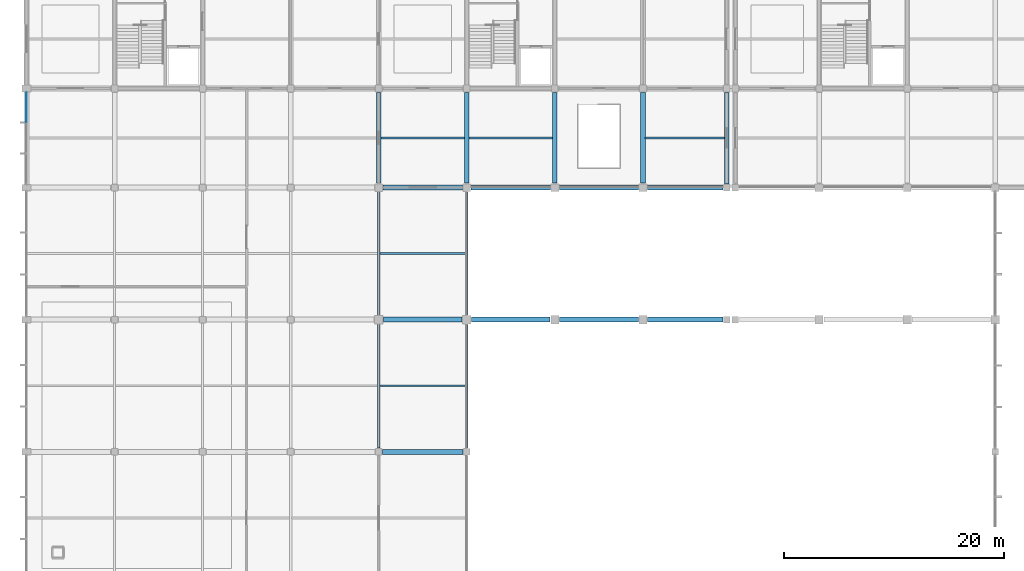
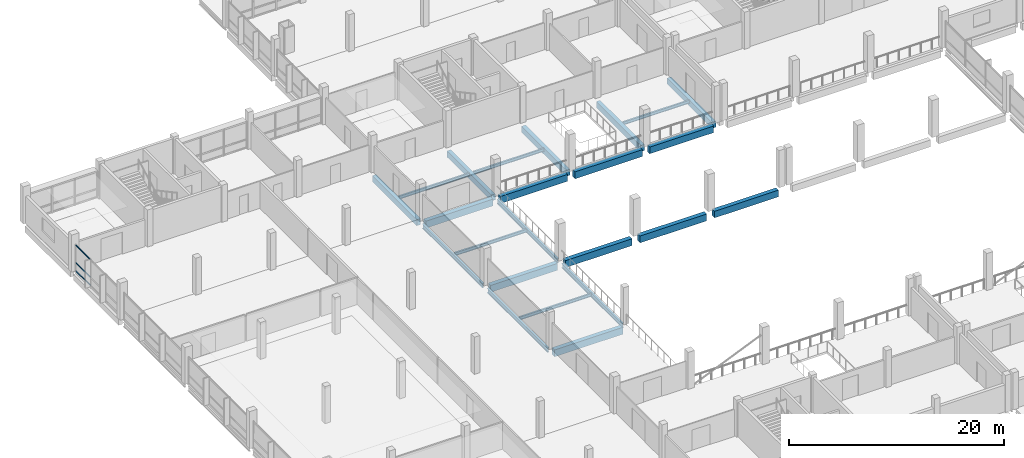
# One storey, part 13 of 57: 23 beams, 3 members, 1 element without a shape of its own.
"""IFC4 building model written with IfcOpenShell, lengths in metres."""

from ifc_helpers import new_model, si_unit, direction, frame, origin, origin_2d, place, context, subcontext, project, spatial, rectangle, i_section, extrude, material, material_profile, profile_set, type_object, element, aggregate, save


model = new_model("IFC4")

# Units and contexts
model_context = context("Model", 3, precision=1e-05, world=origin(), true_north=direction((0.0, 1.0)))
body_context = subcontext(model_context, "Body", "Model", "MODEL_VIEW")
ifc_project = project(units=[si_unit("LENGTHUNIT", "METRE"), si_unit("AREAUNIT", "SQUARE_METRE"), si_unit("VOLUMEUNIT", "CUBIC_METRE"), si_unit("PLANEANGLEUNIT", "RADIAN"), si_unit("MASSUNIT", "GRAM", prefix="KILO"), si_unit("THERMODYNAMICTEMPERATUREUNIT", "KELVIN"), si_unit("POWERUNIT", "WATT")], contexts=[model_context])

# Site, building, storey
site_placement = place(None, origin())
site = spatial("IfcSite", under=ifc_project, at=site_placement, CompositionType="ELEMENT")
building_placement = place(site_placement, origin())
building = spatial("IfcBuilding", under=site, at=building_placement, Name="Kronsvod Quay Wholesale Market", CompositionType="ELEMENT")
storey_placement = place(building_placement, frame((0.0, 0.0, 4.800048828125)))
storey = spatial("IfcBuildingStorey", under=building, at=storey_placement, Name="L01", CompositionType="ELEMENT", Elevation=4.800048828125)

# Beams
ifc_material_1 = material(Name="Precast concrete C40/50", Category="concrete")
ifc_material_profile_1 = material_profile(ifc_material_1, rectangle(XDim=0.419921875, YDim=0.679931640625, at=origin_2d()), Name="PB-05")
ifc_profile_set_1 = profile_set([ifc_material_profile_1], Name="Precast concrete C40/50")
beam_type_1 = type_object("IfcBeamType", Name="Beam_PCB420x680", PredefinedType="BEAM", material=ifc_profile_set_1)
for number, where, z_axis, x_axis, name in (
    (1, (32.0, 90.39990234375, -0.64013671875), (0.0, 1.0, 0.0), (-1.0, 0.0, 0.0), "BMY-L01-320-900"),
    (2, (40.0, 90.39990234375, -0.64013671875), (0.0, 1.0, 0.0), (-1.0, 0.0, 0.0), "BMY-L01-400-900"),
    (3, (48.0, 90.39990234375, -0.64013671875), (0.0, 1.0, 0.0), (-1.0, 0.0, 0.0), "BMY-L01-480-900"),
    (4, (56.0, 90.39990234375, -0.64013671875), (0.0, 1.0, 0.0), (-1.0, 0.0, 0.0), "BMY-L01-560-900"),
):
    element("IfcBeam", number, at=place(storey_placement, frame(where, z_axis=z_axis, x_axis=x_axis)), inside=storey, type_object=beam_type_1, Name=name, PredefinedType="BEAM", context=body_context, shape_type="SweptSolid", body=[
        extrude(rectangle(XDim=0.419921875, YDim=0.679931640625, at=origin_2d()), origin(), (0.0, 0.0, 1.0), 8.25),
    ])
beam_1_placement = place(storey_placement, frame((63.60009765625, 90.35009765625, -0.64013671875), z_axis=(0.0, 1.0, 0.0), x_axis=(-1.0, 0.0, 0.0)))
element("IfcBeam", 5, at=beam_1_placement, inside=storey, type_object=beam_type_1, Name="BMY-L01-636-900", PredefinedType="BEAM", context=body_context, shape_type="SweptSolid", body=[
    extrude(rectangle(XDim=0.419921875, YDim=0.679931640625, at=origin_2d()), origin(), (0.0, 0.0, 1.0), 8.2998046875),
])
ifc_material_2 = material(Name="Precast concrete C40/50", Category="concrete")
ifc_material_profile_2 = material_profile(ifc_material_2, rectangle(XDim=0.449951171875, YDim=0.75, at=origin_2d()), Name="PCB450x750")
ifc_profile_set_2 = profile_set([ifc_material_profile_2], Name="Precast concrete C40/50")
beam_type_2 = type_object("IfcBeamType", Name="Beam_PCB450x750", PredefinedType="BEAM", material=ifc_profile_set_2)
beam_2_placement = place(storey_placement, frame((56.425048828125, 78.0, -0.675048828125), z_axis=(1.0, 0.0, 0.0), x_axis=(0.0, 1.0, 0.0)))
element("IfcBeam", 6, at=beam_2_placement, inside=storey, type_object=beam_type_2, Name="BMX-L01-560-780", PredefinedType="BEAM", context=body_context, shape_type="SweptSolid", body=[
    extrude(rectangle(XDim=0.449951171875, YDim=0.75, at=origin_2d()), origin(), (0.0, 0.0, 1.0), 6.824951171875),
])
beam_3_placement = place(storey_placement, frame((56.39990234375, 90.0, -0.675048828125), z_axis=(1.0, 0.0, 0.0), x_axis=(0.0, 1.0, 0.0)))
element("IfcBeam", 7, at=beam_3_placement, inside=storey, type_object=beam_type_2, Name="BMX-L01-560-900", PredefinedType="BEAM", context=body_context, shape_type="SweptSolid", body=[
    extrude(rectangle(XDim=0.449951171875, YDim=0.75, at=origin_2d()), origin(), (0.0, 0.0, 1.0), 6.85009765625),
])
ifc_material_3 = material(Name="Precast concrete C40/50", Category="concrete")
ifc_material_profile_3 = material_profile(ifc_material_3, rectangle(XDim=0.4599609375, YDim=0.780029296875, at=origin_2d()), Name="PB-03")
ifc_profile_set_3 = profile_set([ifc_material_profile_3], Name="Precast concrete C40/50")
beam_type_3 = type_object("IfcBeamType", Name="Beam_PCB460x780", PredefinedType="BEAM", material=ifc_profile_set_3)
beam_4_placement = place(storey_placement, frame((32.35009765625, 66.0, -0.68994140625), z_axis=(1.0, 0.0, 0.0), x_axis=(0.0, 1.0, 0.0)))
element("IfcBeam", 8, at=beam_4_placement, inside=storey, type_object=beam_type_3, Name="BMX-L01-320-660", PredefinedType="BEAM", context=body_context, shape_type="SweptSolid", body=[
    extrude(rectangle(XDim=0.4599609375, YDim=0.780029296875, at=origin_2d()), origin(), (0.0, 0.0, 1.0), 7.2998046875),
])
for number, where, z_axis, x_axis, name in (
    (9, (32.425048828125, 78.0, -0.68994140625), (1.0, 0.0, 0.0), (0.0, 1.0, 0.0), "BMX-L01-320-780"),
    (10, (40.425048828125, 78.0, -0.68994140625), (1.0, 0.0, 0.0), (0.0, 1.0, 0.0), "BMX-L01-400-780"),
    (11, (48.425048828125, 78.0, -0.68994140625), (1.0, 0.0, 0.0), (0.0, 1.0, 0.0), "BMX-L01-480-780"),
):
    element("IfcBeam", number, at=place(storey_placement, frame(where, z_axis=z_axis, x_axis=x_axis)), inside=storey, type_object=beam_type_3, Name=name, PredefinedType="BEAM", context=body_context, shape_type="SweptSolid", body=[
        extrude(rectangle(XDim=0.4599609375, YDim=0.780029296875, at=origin_2d()), origin(), (0.0, 0.0, 1.0), 7.14990234375),
    ])
for number, where, z_axis, x_axis, name in (
    (12, (32.39990234375, 90.0, -0.68994140625), (1.0, 0.0, 0.0), (0.0, 1.0, 0.0), "BMX-L01-320-900"),
    (13, (40.39990234375, 90.0, -0.68994140625), (1.0, 0.0, 0.0), (0.0, 1.0, 0.0), "BMX-L01-400-900"),
    (14, (48.39990234375, 90.0, -0.68994140625), (1.0, 0.0, 0.0), (0.0, 1.0, 0.0), "BMX-L01-480-900"),
):
    element("IfcBeam", number, at=place(storey_placement, frame(where, z_axis=z_axis, x_axis=x_axis)), inside=storey, type_object=beam_type_3, Name=name, PredefinedType="BEAM", context=body_context, shape_type="SweptSolid", body=[
        extrude(rectangle(XDim=0.4599609375, YDim=0.780029296875, at=origin_2d()), origin(), (0.0, 0.0, 1.0), 7.2001953125),
    ])
ifc_material_4 = material(Name="Steel S355", Category="steel")
ifc_material_profile_4 = material_profile(ifc_material_4, i_section(OverallWidth=0.198974609375, OverallDepth=0.49609375, WebThickness=0.009033203125, FlangeThickness=0.013916015625, FilletRadius=0.02001953125, at=origin_2d()), Name="50B1")
ifc_profile_set_4 = profile_set([ifc_material_profile_4], Name="Steel S355")
beam_type_4 = type_object("IfcBeamType", Name="Girder_Steel50B1", PredefinedType="T_BEAM", material=ifc_profile_set_4)
beam_5_placement = place(storey_placement, frame((32.0, 66.35009765625, -0.548095703125), z_axis=(0.0, 1.0, 0.0), x_axis=(-1.0, 0.0, 0.0)))
element("IfcBeam", 15, at=beam_5_placement, inside=storey, type_object=beam_type_4, Name="BMY-L01-320-660", PredefinedType="T_BEAM", context=body_context, shape_type="SweptSolid", body=[
    extrude(i_section(OverallWidth=0.198974609375, OverallDepth=0.49609375, WebThickness=0.009033203125, FlangeThickness=0.013916015625, FilletRadius=0.02001953125, at=origin_2d()), origin(), (0.0, 0.0, 1.0), 11.224853515625),
])
beam_6_placement = place(storey_placement, frame((32.0, 78.425048828125, -0.548095703125), z_axis=(0.0, 1.0, 0.0), x_axis=(-1.0, 0.0, 0.0)))
element("IfcBeam", 16, at=beam_6_placement, inside=storey, type_object=beam_type_4, Name="BMY-L01-320-780", PredefinedType="T_BEAM", context=body_context, shape_type="SweptSolid", body=[
    extrude(i_section(OverallWidth=0.198974609375, OverallDepth=0.49609375, WebThickness=0.009033203125, FlangeThickness=0.013916015625, FilletRadius=0.02001953125, at=origin_2d()), origin(), (0.0, 0.0, 1.0), 11.175048828125),
])
beam_7_placement = place(storey_placement, frame((40.0, 66.35009765625, -0.548095703125), z_axis=(0.0, 1.0, 0.0), x_axis=(-1.0, 0.0, 0.0)))
element("IfcBeam", 17, at=beam_7_placement, inside=storey, type_object=beam_type_4, Name="BMY-L01-400-660", PredefinedType="T_BEAM", context=body_context, shape_type="SweptSolid", body=[
    extrude(i_section(OverallWidth=0.198974609375, OverallDepth=0.49609375, WebThickness=0.009033203125, FlangeThickness=0.013916015625, FilletRadius=0.02001953125, at=origin_2d()), origin(), (0.0, 0.0, 1.0), 11.224853515625),
])
beam_8_placement = place(storey_placement, frame((40.0, 78.425048828125, -0.548095703125), z_axis=(0.0, 1.0, 0.0), x_axis=(-1.0, 0.0, 0.0)))
element("IfcBeam", 18, at=beam_8_placement, inside=storey, type_object=beam_type_4, Name="BMY-L01-400-780", PredefinedType="T_BEAM", context=body_context, shape_type="SweptSolid", body=[
    extrude(i_section(OverallWidth=0.198974609375, OverallDepth=0.49609375, WebThickness=0.009033203125, FlangeThickness=0.013916015625, FilletRadius=0.02001953125, at=origin_2d()), origin(), (0.0, 0.0, 1.0), 11.175048828125),
])
ifc_material_5 = material(Name="Steel S355", Category="steel")
ifc_material_profile_5 = material_profile(ifc_material_5, i_section(OverallWidth=0.175048828125, OverallDepth=0.35009765625, WebThickness=0.007080078125, FlangeThickness=0.010986328125, FilletRadius=0.013916015625, at=origin_2d()), Name="35B2")
ifc_profile_set_5 = profile_set([ifc_material_profile_5], Name="Steel S355")
beam_type_5 = type_object("IfcBeamType", Name="Joist_Steel35B2", PredefinedType="JOIST", material=ifc_profile_set_5)
for number, where, z_axis, x_axis, name in (
    (19, (32.094482421875, 72.0, -0.425048828125), (1.0, 0.0, 0.0), (0.0, 1.0, 0.0), "JSTX-L01-320-660"),
    (20, (32.094482421875, 84.0, -0.425048828125), (1.0, 0.0, 0.0), (0.0, 1.0, 0.0), "JSTX-L01-320-780"),
):
    element("IfcBeam", number, at=place(storey_placement, frame(where, z_axis=z_axis, x_axis=x_axis)), inside=storey, type_object=beam_type_5, Name=name, PredefinedType="JOIST", context=body_context, shape_type="SweptSolid", body=[
        extrude(i_section(OverallWidth=0.175048828125, OverallDepth=0.35009765625, WebThickness=0.007080078125, FlangeThickness=0.010986328125, FilletRadius=0.013916015625, at=origin_2d()), origin(), (0.0, 0.0, 1.0), 7.81103515625),
    ])
for number, where, z_axis, x_axis, name in (
    (21, (32.205078125, 94.5, -0.405029296875), (1.0, 0.0, 0.0), (0.0, 1.0, 0.0), "JSTX-L01-320-900"),
    (22, (40.205078125, 94.5, -0.405029296875), (1.0, 0.0, 0.0), (0.0, 1.0, 0.0), "JSTX-L01-400-900"),
):
    element("IfcBeam", number, at=place(storey_placement, frame(where, z_axis=z_axis, x_axis=x_axis)), inside=storey, type_object=beam_type_5, Name=name, PredefinedType="JOIST", context=body_context, shape_type="SweptSolid", body=[
        extrude(i_section(OverallWidth=0.175048828125, OverallDepth=0.35009765625, WebThickness=0.007080078125, FlangeThickness=0.010986328125, FilletRadius=0.013916015625, at=origin_2d()), origin(), (0.0, 0.0, 1.0), 7.58984375),
    ])
beam_9_placement = place(storey_placement, frame((56.205078125, 94.5, -0.405029296875), z_axis=(1.0, 0.0, 0.0), x_axis=(0.0, 1.0, 0.0)))
element("IfcBeam", 23, at=beam_9_placement, inside=storey, type_object=beam_type_5, Name="JSTX-L01-560-900", PredefinedType="JOIST", context=body_context, shape_type="SweptSolid", body=[
    extrude(i_section(OverallWidth=0.175048828125, OverallDepth=0.35009765625, WebThickness=0.007080078125, FlangeThickness=0.010986328125, FilletRadius=0.013916015625, at=origin_2d()), origin(), (0.0, 0.0, 1.0), 7.18994140625),
])

# Curtain wall, members
ifc_material_6 = material(Name="Thermally broken aluminium and triple low-E glazing", Category="aluminium")
curtain_wall_type = type_object("IfcCurtainWallType", Name="CW_Wing90x33", PredefinedType="NOTDEFINED", material=ifc_material_6)
curtain_wall_placement = place(storey_placement, origin())
curtain_wall = element("IfcCurtainWall", 24, at=curtain_wall_placement, inside=storey, type_object=curtain_wall_type, Name="CWGY-L01-0-900", PredefinedType="NOTDEFINED")
ifc_material_7 = material(Name="Anodised aluminium", Category="aluminium")
ifc_material_profile_6 = material_profile(ifc_material_7, rectangle(XDim=0.074951171875, YDim=0.14990234375, at=origin_2d()), Name="ALUT75x150")
ifc_profile_set_6 = profile_set([ifc_material_profile_6], Name="Anodised aluminium")
member_type = type_object("IfcMemberType", Name="Transom_ALU75x150", PredefinedType="USERDEFINED", material=ifc_profile_set_6)
member_1_placement = place(storey_placement, frame((0.0, 98.6298828125, 0.074951171875), z_axis=(0.0, -1.0, 0.0), x_axis=(1.0, 0.0, 0.0)))
member_1 = element("IfcMember", 25, at=member_1_placement, type_object=member_type, Name="CWGY-L01-0-900-T1B1", ObjectType="TRANSOM", PredefinedType="USERDEFINED", context=body_context, shape_type="SweptSolid", body=[
    extrude(rectangle(XDim=0.074951171875, YDim=0.14990234375, at=origin_2d()), origin(), (0.0, 0.0, 1.0), 2.690673828125),
])
member_2_placement = place(storey_placement, frame((0.0, 98.6298828125, 1.0), z_axis=(0.0, -1.0, 0.0), x_axis=(1.0, 0.0, 0.0)))
member_2 = element("IfcMember", 26, at=member_2_placement, type_object=member_type, Name="CWGY-L01-0-900-T2B1", ObjectType="TRANSOM", PredefinedType="USERDEFINED", context=body_context, shape_type="SweptSolid", body=[
    extrude(rectangle(XDim=0.074951171875, YDim=0.14990234375, at=origin_2d()), origin(), (0.0, 0.0, 1.0), 2.690673828125),
])
member_3_placement = place(storey_placement, frame((0.0, 98.6298828125, 2.974853515625), z_axis=(0.0, -1.0, 0.0), x_axis=(1.0, 0.0, 0.0)))
member_3 = element("IfcMember", 27, at=member_3_placement, type_object=member_type, Name="CWGY-L01-0-900-T3B1", ObjectType="TRANSOM", PredefinedType="USERDEFINED", context=body_context, shape_type="SweptSolid", body=[
    extrude(rectangle(XDim=0.074951171875, YDim=0.14990234375, at=origin_2d()), origin(), (0.0, 0.0, 1.0), 2.690673828125),
])
aggregate(curtain_wall, [member_1, member_2, member_3])

save(model, "model.ifc")
